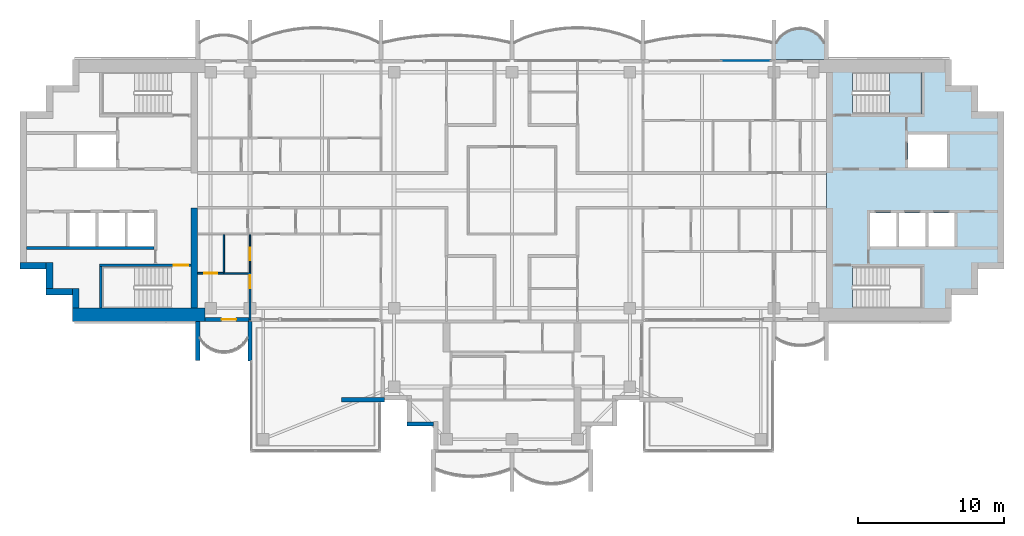
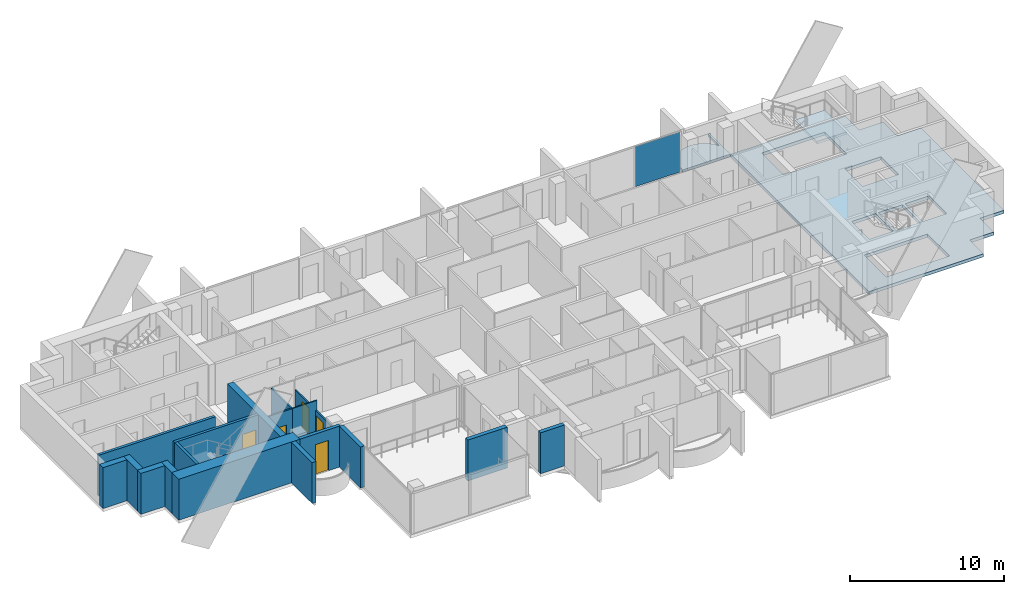
# One storey, part 6 of 16: 19 walls, 5 doors, 3 slabs, 1 plate, 5 openings, 2 elements without a shape of their own.
"""IFC4 building model written with IfcOpenShell, lengths in metres."""

from ifc_helpers import new_model, si_unit, direction, frame, frame_2d, origin, origin_2d, place, context, subcontext, project, spatial, polyline, rectangle, outline, extrude, material, layer, layer_set, type_object, element, fill, aggregate, save


model = new_model("IFC4")

# Units and contexts
model_context = context("Model", 3, precision=1e-05, world=origin(), true_north=direction((0.0, 1.0)))
body_context = subcontext(model_context, "Body", "Model", "MODEL_VIEW")
ifc_project = project(units=[si_unit("LENGTHUNIT", "METRE"), si_unit("AREAUNIT", "SQUARE_METRE"), si_unit("VOLUMEUNIT", "CUBIC_METRE"), si_unit("PLANEANGLEUNIT", "RADIAN"), si_unit("MASSUNIT", "GRAM", prefix="KILO")], contexts=[model_context])

# Site, building, storey
site_placement = place(None, origin())
site = spatial("IfcSite", under=ifc_project, at=site_placement, CompositionType="ELEMENT")
building_placement = place(site_placement, origin())
building = spatial("IfcBuilding", under=site, at=building_placement, Name="Perihelion Cross Residences", CompositionType="ELEMENT")
storey_placement = place(building_placement, frame((0.0, 0.0, 271.0)))
storey = spatial("IfcBuildingStorey", under=building, at=storey_placement, Name="L69", CompositionType="ELEMENT", Elevation=271.0)

# Slab
ifc_material_1 = material(Name="Concrete C40/50", Category="concrete")
ifc_layer_1 = layer(ifc_material_1, 0.199951171875)
ifc_layer_set_1 = layer_set([ifc_layer_1], Name="Balcony slab 200")
slab_type_1 = type_object("IfcSlabType", Name="Balcony slab 200", PredefinedType="FLOOR", material=ifc_layer_set_1)
slab_1_placement = place(storey_placement, frame((0.0, 0.0, -0.199951171875)))
element("IfcSlab", 1, at=slab_1_placement, inside=storey, type_object=slab_type_1, Name="Slab BK1 L69 east side north bay 1 balcony", PredefinedType="FLOOR", context=body_context, shape_type="SweptSolid", body=[
    extrude(outline(polyline([(21.60009765625, 9.0), (18.0, 9.0), (18.0, 11.699951171875), (18.14990234375, 11.699951171875), (18.14990234375, 10.199951171875), (18.425048828125, 10.568603515625), (18.699951171875, 10.806396484375), (18.97509765625, 10.96875), (19.25, 11.07568359375), (19.52490234375, 11.136962890625), (19.800048828125, 11.156982421875), (20.074951171875, 11.136962890625), (20.35009765625, 11.07568359375), (20.625, 10.96875), (20.89990234375, 10.806396484375), (21.175048828125, 10.568603515625), (21.449951171875, 10.199951171875), (21.449951171875, 11.699951171875), (21.60009765625, 11.699951171875), (21.60009765625, 9.0)])), origin(), (0.0, 0.0, 1.0), 0.199951171875),
])

# Curtain wall, plate
ifc_material_2 = material(Name="Bronze anodised aluminium, tinted glazing", Category="aluminium")
curtain_wall_type = type_object("IfcCurtainWallType", Name="CW1", PredefinedType="NOTDEFINED", material=ifc_material_2)
curtain_wall_placement = place(storey_placement, origin())
curtain_wall = element("IfcCurtainWall", 2, at=curtain_wall_placement, inside=storey, type_object=curtain_wall_type, Name="Curtain wall CW1 L69 east side north bay 2", PredefinedType="NOTDEFINED")
ifc_material_3 = material(Name="Tinted laminated glass", Category="glass")
ifc_layer_2 = layer(ifc_material_3, 0.028076171875)
ifc_layer_set_2 = layer_set([ifc_layer_2], Name="CW1 panel")
plate_type = type_object("IfcPlateType", Name="CW1 panel", PredefinedType="CURTAIN_PANEL", material=ifc_layer_set_2)
plate_placement = place(storey_placement, frame((16.06005859375, 8.89990234375, 0.0), z_axis=(0.0, 0.0, 1.0), x_axis=(-1.0, 0.0, 0.0)))
plate = element("IfcPlate", 3, at=plate_placement, type_object=plate_type, Name="CW1 panel 1", PredefinedType="CURTAIN_PANEL", context=body_context, shape_type="SweptSolid", body=[
    extrude(rectangle(XDim=3.360107421875, YDim=0.028076171875, at=origin_2d()), origin(), (0.0, 0.0, 1.0), 3.18994140625),
])
aggregate(curtain_wall, [plate])

# Slab
ifc_material_4 = material(Name="Concrete C40/50", Category="concrete")
ifc_layer_3 = layer(ifc_material_4, 0.25)
ifc_layer_set_3 = layer_set([ifc_layer_3], Name="Core floor slab 250")
slab_type_2 = type_object("IfcSlabType", Name="Core floor slab 250", PredefinedType="FLOOR", material=ifc_layer_set_3)
slab_2_placement = place(storey_placement, frame((0.0, 0.0, -0.25)))
element("IfcSlab", 4, at=slab_2_placement, inside=storey, type_object=slab_type_2, Name="East core floor slab", PredefinedType="FLOOR", context=body_context, shape_type="SweptSolid", body=[
    extrude(outline(polyline([(30.199951171875, 7.199951171875), (32.0, 7.199951171875), (32.0, 5.39990234375), (33.800048828125, 5.39990234375), (33.800048828125, -5.39990234375), (32.0, -5.39990234375), (32.0, -7.199951171875), (30.199951171875, -7.199951171875), (30.199951171875, -9.0), (21.60009765625, -9.0), (21.60009765625, 9.0), (30.199951171875, 9.0), (30.199951171875, 7.199951171875)]), holes=[polyline([(28.14990234375, -8.10009765625), (28.14990234375, -5.25), (23.405029296875, -5.25), (23.405029296875, -8.10009765625), (28.14990234375, -8.10009765625)]), polyline([(24.60009765625, -1.550048828125), (24.60009765625, -3.85009765625), (26.39990234375, -3.85009765625), (26.39990234375, -1.550048828125), (24.60009765625, -1.550048828125)]), polyline([(26.60009765625, -1.550048828125), (26.60009765625, -3.85009765625), (28.39990234375, -3.85009765625), (28.39990234375, -1.550048828125), (26.60009765625, -1.550048828125)]), polyline([(28.60009765625, -3.85009765625), (30.39990234375, -3.85009765625), (30.39990234375, -1.550048828125), (28.60009765625, -1.550048828125), (28.60009765625, -3.85009765625)]), polyline([(27.199951171875, 3.85009765625), (27.199951171875, 1.550048828125), (29.89990234375, 1.550048828125), (29.89990234375, 3.85009765625), (27.199951171875, 3.85009765625)]), polyline([(23.405029296875, 5.25), (28.14990234375, 5.25), (28.14990234375, 8.10009765625), (23.405029296875, 8.10009765625), (23.405029296875, 5.25)])]), origin(), (0.0, 0.0, 1.0), 0.25),
])

# Stair, slab
ifc_material_5 = material(Name="Concrete C40/50", Category="concrete")
stair_type = type_object("IfcStairType", Name="Exit stair, half-turn", PredefinedType="HALF_TURN_STAIR", material=ifc_material_5)
stair_placement = place(storey_placement, origin())
stair = element("IfcStair", 5, at=stair_placement, inside=storey, type_object=stair_type, Name="L69 East core exit stair 1", PredefinedType="HALF_TURN_STAIR")
ifc_material_6 = material(Name="Concrete C40/50", Category="concrete")
ifc_layer_4 = layer(ifc_material_6, 0.199951171875)
ifc_layer_set_4 = layer_set([ifc_layer_4], Name="Exit stair landing 200")
slab_type_3 = type_object("IfcSlabType", Name="Exit stair landing 200", PredefinedType="LANDING", material=ifc_layer_set_4)
slab_3_placement = place(storey_placement, frame((0.0, 0.0, 1.550048828125)))
slab_3 = element("IfcSlab", 6, at=slab_3_placement, type_object=slab_type_3, Name="ST-E1 landing 1", PredefinedType="LANDING", context=body_context, shape_type="SweptSolid", body=[
    extrude(outline(polyline([(25.919921875, 5.25), (28.14990234375, 5.25), (28.14990234375, 8.10009765625), (25.919921875, 8.10009765625), (25.919921875, 5.25)])), origin(), (0.0, 0.0, 1.0), 0.199951171875),
])
aggregate(stair, [slab_3])

# Wall, opening, door
ifc_material_7 = material(Name="Concrete C30/37, bronze-clad", Category="concrete")
ifc_layer_5 = layer(ifc_material_7, 0.25)
ifc_layer_set_5 = layer_set([ifc_layer_5], Name="Bronze-clad pier wall 250")
wall_type_1 = type_object("IfcWallType", Name="Bronze-clad pier wall 250", PredefinedType="SOLIDWALL", material=ifc_layer_set_5)
wall_1_placement = place(storey_placement, frame((-21.10009765625, -8.875, 0.0), z_axis=(0.0, 0.0, 1.0), x_axis=(1.0, 0.0, 0.0)))
wall_1 = element("IfcWall", 7, at=wall_1_placement, inside=storey, type_object=wall_type_1, Name="Wall FW1 L69 west side south bay 1 pier", PredefinedType="SOLIDWALL", context=body_context, shape_type="SweptSolid", body=[
    extrude(rectangle(XDim=3.0400390625, YDim=0.25, at=frame_2d((1.52001953125, 0.0))), origin(), (0.0, 0.0, 1.0), 3.25),
])
opening_1_placement = place(wall_1_placement, frame((1.14990234375, 0.0, 0.0)))
opening_1 = element("IfcOpeningElement", 8, at=opening_1_placement, cuts=wall_1, Name="Opening L69.E07", PredefinedType="OPENING", context=body_context, shape_type="SweptSolid", body=[
    extrude(rectangle(XDim=1.0, YDim=2.39990234375, at=frame_2d((0.5, 1.199951171875))), frame((0.0, 0.135009765625, 0.0), z_axis=(0.0, -1.0, 0.0), x_axis=(1.0, 0.0, 0.0)), (0.0, 0.0, 1.0), 0.27001953125),
])
ifc_material_8 = material(Name="Bronze anodised aluminium, glazed", Category="aluminium")
door_type_1 = type_object("IfcDoorType", Name="Balcony door 1000 x 2400", OperationType="NOTDEFINED", PredefinedType="DOOR", material=ifc_material_8)
door_1_placement = place(opening_1_placement, origin())
door_1 = element("IfcDoor", 9, at=door_1_placement, inside=storey, type_object=door_type_1, Name="Door L69.E07 west side south bay 1", OperationType="SINGLE_SWING_LEFT", OverallHeight=2.39990234375, OverallWidth=1.0, PredefinedType="DOOR", context=body_context, shape_type="SweptSolid", body=[
    extrude(rectangle(XDim=1.0, YDim=2.39990234375, at=frame_2d((0.5, 1.199951171875))), frame((0.0, 0.02490234375, 0.0), z_axis=(0.0, -1.0, 0.0), x_axis=(1.0, 0.0, 0.0)), (0.0, 0.0, 1.0), 0.050048828125),
])
fill(opening_1, door_1)

# Walls
ifc_material_9 = material(Name="Concrete C30/37, bronze-clad", Category="concrete")
ifc_layer_6 = layer(ifc_material_9, 0.300048828125)
ifc_layer_set_6 = layer_set([ifc_layer_6], Name="Bronze-clad serration wall 300")
wall_type_2 = type_object("IfcWallType", Name="Bronze-clad serration wall 300", PredefinedType="SOLIDWALL", material=ifc_layer_set_6)
wall_2_placement = place(storey_placement, frame((-7.199951171875, -16.050048828125, 0.0), z_axis=(0.0, 0.0, 1.0), x_axis=(1.0, 0.0, 0.0)))
element("IfcWall", 10, at=wall_2_placement, inside=storey, type_object=wall_type_2, Name="Wall SR1 L69 south corner south-west 3", PredefinedType="SOLIDWALL", context=body_context, shape_type="SweptSolid", body=[
    extrude(rectangle(XDim=1.800048828125, YDim=0.300048828125, at=frame_2d((0.89990234375, 0.0))), origin(), (0.0, 0.0, 1.0), 3.25),
])
ifc_material_10 = material(Name="Concrete C60/75", Category="concrete")
ifc_layer_7 = layer(ifc_material_10, 0.449951171875)
ifc_layer_set_7 = layer_set([ifc_layer_7], Name="Core wall, inner 450")
wall_type_3 = type_object("IfcWallType", Name="Core wall, inner 450", PredefinedType="SHEAR", material=ifc_layer_set_7)
wall_3_placement = place(storey_placement, frame((-21.824951171875, -8.10009765625, 0.0), z_axis=(0.0, 0.0, 1.0), x_axis=(0.0, 1.0, 0.0)))
element("IfcWall", 11, at=wall_3_placement, inside=storey, type_object=wall_type_3, Name="West core core wall, inner", PredefinedType="SHEAR", context=body_context, shape_type="SweptSolid", body=[
    extrude(rectangle(XDim=6.900146484375, YDim=0.449951171875, at=frame_2d((3.4501953125, 0.0))), origin(), (0.0, 0.0, 1.0), 3.25),
])
ifc_material_11 = material(Name="Concrete C60/75", Category="concrete")
ifc_layer_8 = layer(ifc_material_11, 0.449951171875)
ifc_layer_set_8 = layer_set([ifc_layer_8], Name="Core wall, outer 450")
wall_type_4 = type_object("IfcWallType", Name="Core wall, outer 450", PredefinedType="SHEAR", material=ifc_layer_set_8)
wall_4_placement = place(storey_placement, frame((-29.97509765625, -8.10009765625, 0.0), z_axis=(0.0, 0.0, 1.0), x_axis=(0.0, 1.0, 0.0)))
element("IfcWall", 12, at=wall_4_placement, inside=storey, type_object=wall_type_4, Name="West core core wall, outer", PredefinedType="SHEAR", context=body_context, shape_type="SweptSolid", body=[
    extrude(rectangle(XDim=1.35009765625, YDim=0.449951171875, at=frame_2d((0.675048828125, 0.0))), origin(), (0.0, 0.0, 1.0), 3.25),
])
for number, where, z_axis, x_axis, name in (
    (13, (-32.0, -6.97509765625, 0.0), (0.0, 0.0, 1.0), (1.0, 0.0, 0.0), "West core core wall, outer"),
    (14, (-31.77490234375, -6.75, 0.0), (0.0, 0.0, 1.0), (0.0, 1.0, 0.0), "West core core wall, outer"),
    (15, (-33.800048828125, -5.175048828125, 0.0), (0.0, 0.0, 1.0), (1.0, 0.0, 0.0), "West core core wall, outer"),
):
    element("IfcWall", number, at=place(storey_placement, frame(where, z_axis=z_axis, x_axis=x_axis)), inside=storey, type_object=wall_type_4, Name=name, PredefinedType="SHEAR", context=body_context, shape_type="SweptSolid", body=[
        extrude(rectangle(XDim=1.800048828125, YDim=0.449951171875, at=frame_2d((0.89990234375, 0.0))), origin(), (0.0, 0.0, 1.0), 3.25),
    ])
ifc_material_12 = material(Name="Concrete C60/75", Category="concrete")
ifc_layer_9 = layer(ifc_material_12, 0.89990234375)
ifc_layer_set_9 = layer_set([ifc_layer_9], Name="Core wall, outer 900")
wall_type_5 = type_object("IfcWallType", Name="Core wall, outer 900", PredefinedType="SHEAR", material=ifc_layer_set_9)
wall_5_placement = place(storey_placement, frame((-30.199951171875, -8.550048828125, 0.0), z_axis=(0.0, 0.0, 1.0), x_axis=(1.0, 0.0, 0.0)))
element("IfcWall", 16, at=wall_5_placement, inside=storey, type_object=wall_type_5, Name="West core core wall, outer", PredefinedType="SHEAR", context=body_context, shape_type="SweptSolid", body=[
    extrude(rectangle(XDim=9.099853515625, YDim=0.89990234375, at=frame_2d((4.5498046875, 0.0))), origin(), (0.0, 0.0, 1.0), 3.25),
])

# Wall, opening, door
ifc_material_13 = material(Name="Plasterboard partition")
ifc_layer_10 = layer(ifc_material_13, 0.1201171875)
ifc_layer_set_10 = layer_set([ifc_layer_10], Name="Partition wall 120")
wall_type_6 = type_object("IfcWallType", Name="Partition wall 120", PredefinedType="PARTITIONING", material=ifc_layer_set_10)
wall_6_placement = place(storey_placement, frame((-18.0, -8.919921875, 0.0), z_axis=(0.0, 0.0, 1.0), x_axis=(0.0, 1.0, 0.0)))
wall_6 = element("IfcWall", 17, at=wall_6_placement, inside=storey, type_object=wall_type_6, Name="Partition L69 W061", PredefinedType="PARTITIONING", context=body_context, shape_type="SweptSolid", body=[
    extrude(rectangle(XDim=3.219970703125, YDim=0.1201171875, at=frame_2d((1.60986328125, 0.0))), origin(), (0.0, 0.0, 1.0), 2.49609375),
])
opening_2_placement = place(wall_6_placement, frame((2.18994140625, 0.0, 0.0)))
opening_2 = element("IfcOpeningElement", 18, at=opening_2_placement, cuts=wall_6, Name="Opening L69.A27", PredefinedType="OPENING", context=body_context, shape_type="SweptSolid", body=[
    extrude(rectangle(XDim=0.89990234375, YDim=2.10009765625, at=frame_2d((0.449951171875, 1.050048828125))), frame((0.0, 0.070068359375, 0.0), z_axis=(0.0, -1.0, 0.0), x_axis=(1.0, 0.0, 0.0)), (0.0, 0.0, 1.0), 0.14013671875),
])
ifc_material_14 = material(Name="Timber door leaf", Category="wood")
door_type_2 = type_object("IfcDoorType", Name="Interior room door 900 x 2100", OperationType="SINGLE_SWING_LEFT", PredefinedType="DOOR", material=ifc_material_14)
door_2_placement = place(opening_2_placement, origin())
door_2 = element("IfcDoor", 19, at=door_2_placement, inside=storey, type_object=door_type_2, Name="Door L69.A27", OperationType="SINGLE_SWING_RIGHT", OverallHeight=2.10009765625, OverallWidth=0.89990234375, PredefinedType="DOOR", context=body_context, shape_type="SweptSolid", body=[
    extrude(rectangle(XDim=0.89990234375, YDim=2.10009765625, at=frame_2d((0.449951171875, 1.050048828125))), frame((0.0, 0.02490234375, 0.0), z_axis=(0.0, -1.0, 0.0), x_axis=(1.0, 0.0, 0.0)), (0.0, 0.0, 1.0), 0.050048828125),
])
fill(opening_2, door_2)

wall_7_placement = place(storey_placement, frame((-19.800048828125, -5.699951171875, 0.0), z_axis=(0.0, 0.0, 1.0), x_axis=(-1.0, 0.0, 0.0)))
wall_7 = element("IfcWall", 20, at=wall_7_placement, inside=storey, type_object=wall_type_6, Name="Partition L69 W065", PredefinedType="PARTITIONING", context=body_context, shape_type="SweptSolid", body=[
    extrude(rectangle(XDim=1.800048828125, YDim=0.1201171875, at=frame_2d((0.89990234375, 0.0))), origin(), (0.0, 0.0, 1.0), 3.25),
])
opening_3_placement = place(wall_7_placement, frame((0.449951171875, 0.0, 0.0)))
opening_3 = element("IfcOpeningElement", 21, at=opening_3_placement, cuts=wall_7, Name="Opening L69.A33", PredefinedType="OPENING", context=body_context, shape_type="SweptSolid", body=[
    extrude(rectangle(XDim=0.89990234375, YDim=2.10009765625, at=frame_2d((0.449951171875, 1.050048828125))), frame((0.0, 0.070068359375, 0.0), z_axis=(0.0, -1.0, 0.0), x_axis=(1.0, 0.0, 0.0)), (0.0, 0.0, 1.0), 0.14013671875),
])
door_3_placement = place(opening_3_placement, origin())
door_3 = element("IfcDoor", 22, at=door_3_placement, inside=storey, type_object=door_type_2, Name="Door L69.A33", OperationType="SINGLE_SWING_RIGHT", OverallHeight=2.10009765625, OverallWidth=0.89990234375, PredefinedType="DOOR", context=body_context, shape_type="SweptSolid", body=[
    extrude(rectangle(XDim=0.89990234375, YDim=2.10009765625, at=frame_2d((0.449951171875, 1.050048828125))), frame((0.0, 0.02490234375, 0.0), z_axis=(0.0, -1.0, 0.0), x_axis=(1.0, 0.0, 0.0)), (0.0, 0.0, 1.0), 0.050048828125),
])
fill(opening_3, door_3)

# Walls
ifc_material_15 = material(Name="Precast concrete C50/60", Category="concrete")
ifc_layer_11 = layer(ifc_material_15, 0.300048828125)
ifc_layer_set_11 = layer_set([ifc_layer_11], Name="Precast concrete C50/60 blade wall 300")
wall_type_7 = type_object("IfcWallType", Name="Precast concrete C50/60 blade wall 300", PredefinedType="SOLIDWALL", material=ifc_layer_set_11)
wall_8_placement = place(storey_placement, frame((-21.60009765625, -9.0, 0.0), z_axis=(0.0, 0.0, 1.0), x_axis=(0.0, -1.0, 0.0)))
element("IfcWall", 23, at=wall_8_placement, inside=storey, type_object=wall_type_7, Name="Wall BL1 L69 no. 3", PredefinedType="SOLIDWALL", context=body_context, shape_type="SweptSolid", body=[
    extrude(rectangle(XDim=2.699951171875, YDim=0.300048828125, at=frame_2d((1.35009765625, 0.0))), origin(), (0.0, 0.0, 1.0), 3.25),
])
wall_9_placement = place(storey_placement, frame((-18.0, -9.0, 0.0), z_axis=(0.0, 0.0, 1.0), x_axis=(0.0, -1.0, 0.0)))
element("IfcWall", 24, at=wall_9_placement, inside=storey, type_object=wall_type_7, Name="Wall BL1 L69 no. 1", PredefinedType="SOLIDWALL", context=body_context, shape_type="SweptSolid", body=[
    extrude(rectangle(XDim=2.739990234375, YDim=0.300048828125, at=frame_2d((1.3701171875, 0.0))), origin(), (0.0, 0.0, 1.0), 3.25),
])
wall_10_placement = place(storey_placement, frame((-8.75, -14.39990234375, 0.0), z_axis=(0.0, 0.0, 1.0), x_axis=(-1.0, 0.0, 0.0)))
element("IfcWall", 25, at=wall_10_placement, inside=storey, type_object=wall_type_7, Name="Wall BL1 L69 no. 6", PredefinedType="SOLIDWALL", context=body_context, shape_type="SweptSolid", body=[
    extrude(rectangle(XDim=2.949951171875, YDim=0.300048828125, at=frame_2d((1.47509765625, 0.0))), origin(), (0.0, 0.0, 1.0), 3.25),
])
ifc_material_16 = material(Name="Concrete C50/60", Category="concrete")
ifc_layer_12 = layer(ifc_material_16, 0.199951171875)
ifc_layer_set_12 = layer_set([ifc_layer_12], Name="Shaft wall 200")
wall_type_8 = type_object("IfcWallType", Name="Shaft wall 200", PredefinedType="SOLIDWALL", material=ifc_layer_set_12)
wall_11_placement = place(storey_placement, frame((-33.35009765625, -3.949951171875, 0.0), z_axis=(0.0, 0.0, 1.0), x_axis=(1.0, 0.0, 0.0)))
element("IfcWall", 26, at=wall_11_placement, inside=storey, type_object=wall_type_8, Name="West core shaft wall", PredefinedType="SOLIDWALL", context=body_context, shape_type="SweptSolid", body=[
    extrude(rectangle(XDim=8.75, YDim=0.199951171875, at=frame_2d((4.375, 0.0))), origin(), (0.0, 0.0, 1.0), 3.25),
])

# Wall, opening, door
ifc_material_17 = material(Name="Concrete C50/60", Category="concrete")
ifc_layer_13 = layer(ifc_material_17, 0.199951171875)
ifc_layer_set_13 = layer_set([ifc_layer_13], Name="Stair wall 200")
wall_type_9 = type_object("IfcWallType", Name="Stair wall 200", PredefinedType="SOLIDWALL", material=ifc_layer_set_13)
wall_12_placement = place(storey_placement, frame((-28.35009765625, -5.14990234375, 0.0), z_axis=(0.0, 0.0, 1.0), x_axis=(1.0, 0.0, 0.0)))
wall_12 = element("IfcWall", 27, at=wall_12_placement, inside=storey, type_object=wall_type_9, Name="West core stair wall", PredefinedType="SOLIDWALL", context=body_context, shape_type="SweptSolid", body=[
    extrude(rectangle(XDim=6.300048828125, YDim=0.199951171875, at=frame_2d((3.14990234375, 0.0))), origin(), (0.0, 0.0, 1.0), 3.25),
])
opening_4_placement = place(wall_12_placement, frame((5.10009765625, 0.0, 0.0)))
opening_4 = element("IfcOpeningElement", 28, at=opening_4_placement, cuts=wall_12, Name="Opening L69.C17", PredefinedType="OPENING", context=body_context, shape_type="SweptSolid", body=[
    extrude(rectangle(XDim=1.0, YDim=2.10009765625, at=frame_2d((0.5, 1.050048828125))), frame((0.0, 0.10986328125, 0.0), z_axis=(0.0, -1.0, 0.0), x_axis=(1.0, 0.0, 0.0)), (0.0, 0.0, 1.0), 0.219970703125),
])
ifc_material_18 = material(Name="Steel, powder coated", Category="steel")
door_type_3 = type_object("IfcDoorType", Name="Stair door 1000", OperationType="SINGLE_SWING_LEFT", PredefinedType="DOOR", material=ifc_material_18)
door_4_placement = place(opening_4_placement, origin())
door_4 = element("IfcDoor", 29, at=door_4_placement, inside=storey, type_object=door_type_3, Name="West core stair door", OperationType="SINGLE_SWING_LEFT", OverallHeight=2.10009765625, OverallWidth=1.0, PredefinedType="DOOR", context=body_context, shape_type="SweptSolid", body=[
    extrude(rectangle(XDim=1.0, YDim=2.10009765625, at=frame_2d((0.5, 1.050048828125))), frame((0.0, 0.02490234375, 0.0), z_axis=(0.0, -1.0, 0.0), x_axis=(1.0, 0.0, 0.0)), (0.0, 0.0, 1.0), 0.050048828125),
])
fill(opening_4, door_4)

# Wall
wall_13_placement = place(storey_placement, frame((-28.25, -8.10009765625, 0.0), z_axis=(0.0, 0.0, 1.0), x_axis=(0.0, 1.0, 0.0)))
element("IfcWall", 30, at=wall_13_placement, inside=storey, type_object=wall_type_9, Name="West core stair wall", PredefinedType="SOLIDWALL", context=body_context, shape_type="SweptSolid", body=[
    extrude(rectangle(XDim=2.85009765625, YDim=0.199951171875, at=frame_2d((1.425048828125, 0.0))), origin(), (0.0, 0.0, 1.0), 3.25),
])

# Wall, opening, door
ifc_material_19 = material(Name="Plasterboard partition")
ifc_layer_14 = layer(ifc_material_19, 0.10009765625)
ifc_layer_set_14 = layer_set([ifc_layer_14], Name="Wet room wall 100")
wall_type_10 = type_object("IfcWallType", Name="Wet room wall 100", PredefinedType="PARTITIONING", material=ifc_layer_set_14)
wall_14_placement = place(storey_placement, frame((-18.0, -5.699951171875, 0.0), z_axis=(0.0, 0.0, 1.0), x_axis=(0.0, 1.0, 0.0)))
wall_14 = element("IfcWall", 31, at=wall_14_placement, inside=storey, type_object=wall_type_10, Name="Partition L69 W060", PredefinedType="PARTITIONING", context=body_context, shape_type="SweptSolid", body=[
    extrude(rectangle(XDim=2.639892578125, YDim=0.10009765625, at=frame_2d((1.31982421875, 0.0))), origin(), (0.0, 0.0, 1.0), 2.49609375),
])
opening_5_placement = place(wall_14_placement, frame((0.89501953125, 0.0, 0.0)))
opening_5 = element("IfcOpeningElement", 32, at=opening_5_placement, cuts=wall_14, Name="Opening L69.A25", PredefinedType="OPENING", context=body_context, shape_type="SweptSolid", body=[
    extrude(rectangle(XDim=0.85009765625, YDim=2.10009765625, at=frame_2d((0.425048828125, 1.050048828125))), frame((0.0, 0.06005859375, 0.0), z_axis=(0.0, -1.0, 0.0), x_axis=(1.0, 0.0, 0.0)), (0.0, 0.0, 1.0), 0.1201171875),
])
ifc_material_20 = material(Name="Timber door leaf", Category="wood")
door_type_4 = type_object("IfcDoorType", Name="Interior bathroom door 850 x 2100", OperationType="SINGLE_SWING_LEFT", PredefinedType="DOOR", material=ifc_material_20)
door_5_placement = place(opening_5_placement, origin())
door_5 = element("IfcDoor", 33, at=door_5_placement, inside=storey, type_object=door_type_4, Name="Door L69.A25", OperationType="SINGLE_SWING_RIGHT", OverallHeight=2.10009765625, OverallWidth=0.85009765625, PredefinedType="DOOR", context=body_context, shape_type="SweptSolid", body=[
    extrude(rectangle(XDim=0.85009765625, YDim=2.10009765625, at=frame_2d((0.425048828125, 1.050048828125))), frame((0.0, 0.02490234375, 0.0), z_axis=(0.0, -1.0, 0.0), x_axis=(1.0, 0.0, 0.0)), (0.0, 0.0, 1.0), 0.050048828125),
])
fill(opening_5, door_5)

# Walls
wall_15_placement = place(storey_placement, frame((-19.800048828125, -5.639892578125, 0.0), z_axis=(0.0, 0.0, 1.0), x_axis=(0.0, 1.0, 0.0)))
element("IfcWall", 34, at=wall_15_placement, inside=storey, type_object=wall_type_10, Name="Partition L69 W063", PredefinedType="PARTITIONING", context=body_context, shape_type="SweptSolid", body=[
    extrude(rectangle(XDim=2.58984375, YDim=0.10009765625, at=frame_2d((1.294921875, 0.0))), origin(), (0.0, 0.0, 1.0), 3.25),
])
wall_16_placement = place(storey_placement, frame((-17.93994140625, -5.699951171875, 0.0), z_axis=(0.0, 0.0, 1.0), x_axis=(-1.0, 0.0, 0.0)))
element("IfcWall", 35, at=wall_16_placement, inside=storey, type_object=wall_type_10, Name="Partition L69 W064", PredefinedType="PARTITIONING", context=body_context, shape_type="SweptSolid", body=[
    extrude(rectangle(XDim=1.860107421875, YDim=0.10009765625, at=frame_2d((0.93017578125, 0.0))), origin(), (0.0, 0.0, 1.0), 3.25),
])

save(model, "model.ifc")
